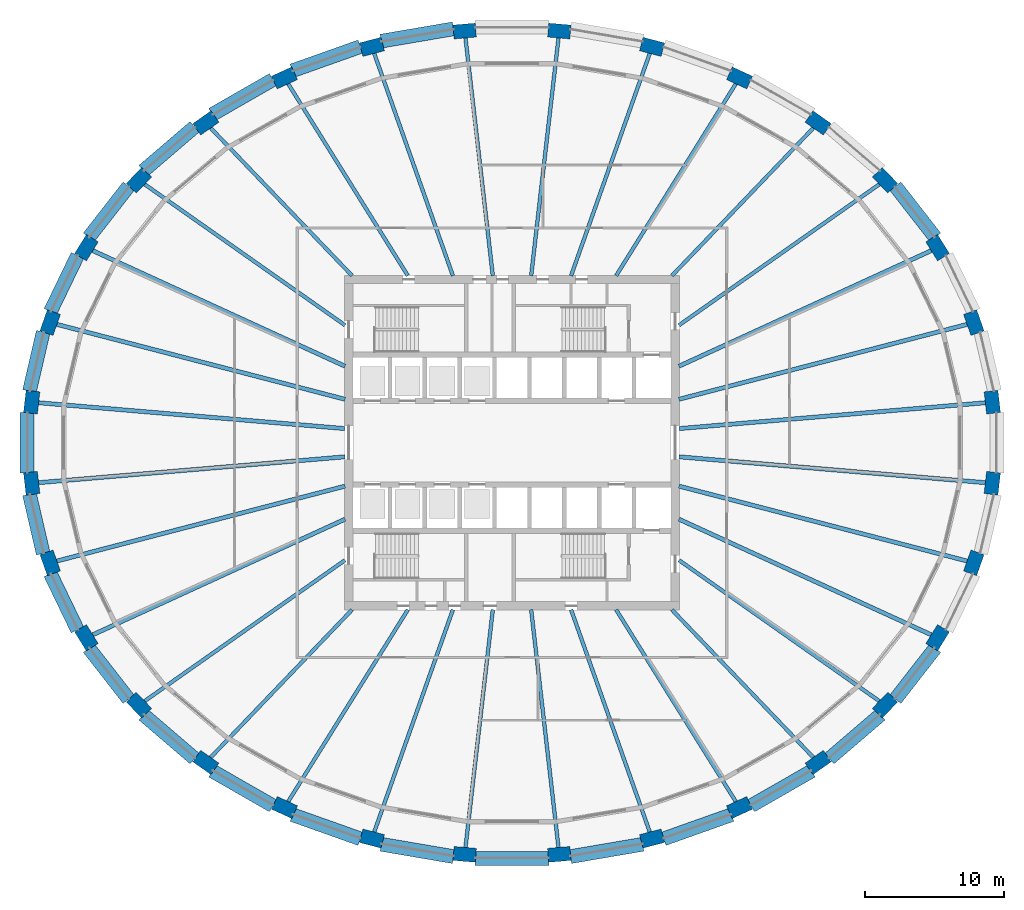
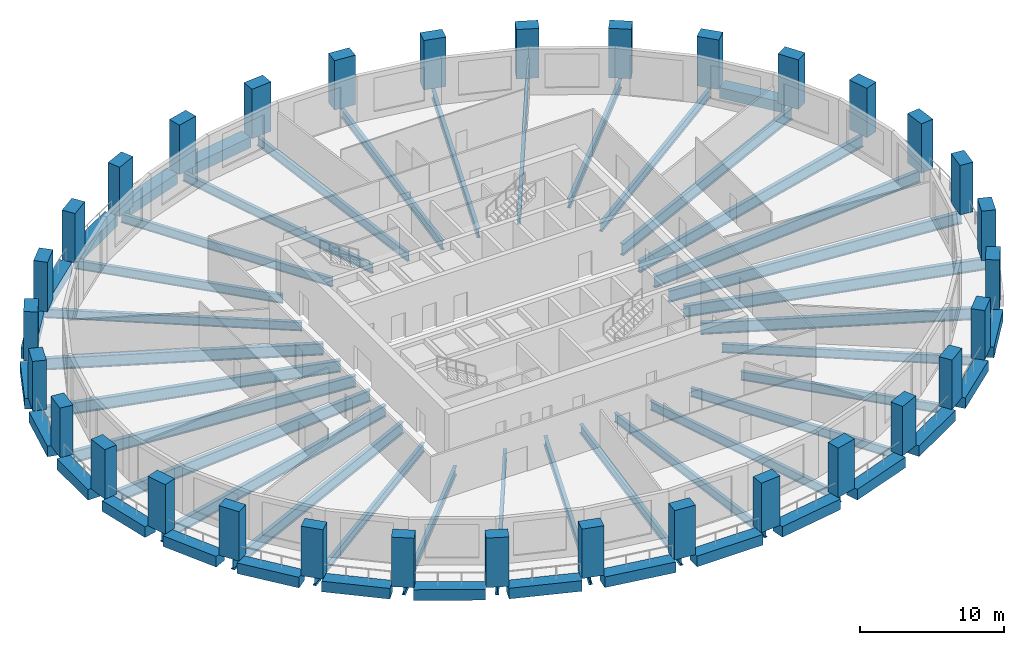
# One storey, part 1 of 10: 54 beams, 32 columns.
"""IFC4 building model written with IfcOpenShell, lengths in metres."""

from ifc_helpers import new_model, si_unit, direction, frame, origin, origin_2d, place, context, subcontext, project, spatial, rectangle, i_section, extrude, material, material_profile, profile_set, type_object, element, save


model = new_model("IFC4")

# Units and contexts
model_context = context("Model", 3, precision=1e-05, world=origin(), true_north=direction((0.0, 1.0)))
body_context = subcontext(model_context, "Body", "Model", "MODEL_VIEW")
ifc_project = project(units=[si_unit("LENGTHUNIT", "METRE"), si_unit("AREAUNIT", "SQUARE_METRE"), si_unit("VOLUMEUNIT", "CUBIC_METRE"), si_unit("PLANEANGLEUNIT", "RADIAN"), si_unit("MASSUNIT", "GRAM", prefix="KILO")], contexts=[model_context])

# Site, building, storey
site_placement = place(None, origin())
site = spatial("IfcSite", under=ifc_project, at=site_placement, CompositionType="ELEMENT")
building_placement = place(site_placement, origin())
building = spatial("IfcBuilding", under=site, at=building_placement, Name="Halqa Exchange Tower", CompositionType="ELEMENT")
storey_placement = place(building_placement, frame((0.0, 0.0, 125.5)))
storey = spatial("IfcBuildingStorey", under=building, at=storey_placement, Name="L28", CompositionType="ELEMENT", Elevation=125.5)

# Columns
ifc_material_1 = material(Name="Concrete C70/85", Category="concrete")
ifc_material_profile_1 = material_profile(ifc_material_1, rectangle(XDim=1.60009765625, YDim=1.0, at=origin_2d()), Name="1600 x 1000")
ifc_profile_set_1 = profile_set([ifc_material_profile_1], Name="Concrete C70/85")
column_type = type_object("IfcColumnType", Name="RC ring column 1600 x 1000 C70/85", PredefinedType="COLUMN", material=ifc_profile_set_1)
for number, where, z_axis, x_axis, name in (
    (1, (34.438720703125, 2.907470703125, 0.0), (0.0, 0.0, 1.0), (-0.114158655897, 0.993462531394, 0.0), "Ring column 1"),
    (2, (33.115234375, 8.6103515625, 0.0), (0.0, 0.0, 1.0), (-0.33363575088, 0.942702066262, 0.0), "Ring column 2"),
    (3, (30.51904296875, 13.982421875, 0.0), (0.0, 0.0, 1.0), (-0.529137534311, 0.848536074533, 0.0), "Ring column 3"),
    (4, (26.750244140625, 18.817138671875, 0.0), (0.0, 0.0, 1.0), (-0.691571048649, 0.722308441505, 0.0), "Ring column 4"),
    (5, (21.953369140625, 22.9287109375, 0.0), (0.0, 0.0, 1.0), (-0.817909792189, 0.575346479819, 0.0), "Ring column 5"),
    (6, (16.312744140625, 26.1591796875, 0.0), (0.0, 0.0, 1.0), (-0.909126368869, 0.416520402174, 0.0), "Ring column 6"),
    (7, (10.04541015625, 28.384521484375, 0.0), (0.0, 0.0, 1.0), (-0.967819503571, 0.251645402317, 0.0), "Ring column 7"),
    (8, (3.391845703125, 29.518798828125, 0.0), (0.0, 0.0, 1.0), (-0.996455372165, 0.084123072248, 0.0), "Ring column 8"),
    (9, (-3.391845703125, 29.518798828125, 0.0), (0.0, 0.0, 1.0), (-0.996455372165, -0.084123072248, 0.0), "Ring column 9"),
    (10, (-10.04541015625, 28.384521484375, 0.0), (0.0, 0.0, 1.0), (-0.967819503571, -0.251645402317, 0.0), "Ring column 10"),
    (11, (-16.312744140625, 26.1591796875, 0.0), (0.0, 0.0, 1.0), (-0.909126368869, -0.416520402174, 0.0), "Ring column 11"),
    (12, (-21.953369140625, 22.9287109375, 0.0), (0.0, 0.0, 1.0), (-0.817909792189, -0.575346479819, 0.0), "Ring column 12"),
    (13, (-26.750244140625, 18.817138671875, 0.0), (0.0, 0.0, 1.0), (-0.691571048649, -0.722308441505, 0.0), "Ring column 13"),
    (14, (-30.51904296875, 13.982421875, 0.0), (0.0, 0.0, 1.0), (-0.529137534311, -0.848536074533, 0.0), "Ring column 14"),
    (15, (-33.115234375, 8.6103515625, 0.0), (0.0, 0.0, 1.0), (-0.33363575088, -0.942702066262, 0.0), "Ring column 15"),
    (16, (-34.438720703125, 2.907470703125, 0.0), (0.0, 0.0, 1.0), (-0.114158655897, -0.993462531394, 0.0), "Ring column 16"),
    (17, (-34.438720703125, -2.907470703125, 0.0), (0.0, 0.0, 1.0), (0.114158655897, -0.993462531394, 0.0), "Ring column 17"),
    (18, (-33.115234375, -8.6103515625, 0.0), (0.0, 0.0, 1.0), (0.33363575088, -0.942702066262, 0.0), "Ring column 18"),
    (19, (-30.51904296875, -13.982421875, 0.0), (0.0, 0.0, 1.0), (0.529137534311, -0.848536074533, 0.0), "Ring column 19"),
    (20, (-26.750244140625, -18.817138671875, 0.0), (0.0, 0.0, 1.0), (0.691571048649, -0.722308441505, 0.0), "Ring column 20"),
    (21, (-21.953369140625, -22.9287109375, 0.0), (0.0, 0.0, 1.0), (0.817909792189, -0.575346479819, 0.0), "Ring column 21"),
    (22, (-16.312744140625, -26.1591796875, 0.0), (0.0, 0.0, 1.0), (0.909126368869, -0.416520402174, 0.0), "Ring column 22"),
    (23, (-10.04541015625, -28.384521484375, 0.0), (0.0, 0.0, 1.0), (0.967819503571, -0.251645402317, 0.0), "Ring column 23"),
    (24, (-3.391845703125, -29.518798828125, 0.0), (0.0, 0.0, 1.0), (0.996455372165, -0.084123072248, 0.0), "Ring column 24"),
    (25, (3.391845703125, -29.518798828125, 0.0), (0.0, 0.0, 1.0), (0.996455372165, 0.084123072248, 0.0), "Ring column 25"),
    (26, (10.04541015625, -28.384521484375, 0.0), (0.0, 0.0, 1.0), (0.967819503571, 0.251645402317, 0.0), "Ring column 26"),
    (27, (16.312744140625, -26.1591796875, 0.0), (0.0, 0.0, 1.0), (0.909126368869, 0.416520402174, 0.0), "Ring column 27"),
    (28, (21.953369140625, -22.9287109375, 0.0), (0.0, 0.0, 1.0), (0.817909792189, 0.575346479819, 0.0), "Ring column 28"),
    (29, (26.750244140625, -18.817138671875, 0.0), (0.0, 0.0, 1.0), (0.691571048649, 0.722308441505, 0.0), "Ring column 29"),
    (30, (30.51904296875, -13.982421875, 0.0), (0.0, 0.0, 1.0), (0.529137534311, 0.848536074533, 0.0), "Ring column 30"),
    (31, (33.115234375, -8.6103515625, 0.0), (0.0, 0.0, 1.0), (0.33363575088, 0.942702066262, 0.0), "Ring column 31"),
    (32, (34.438720703125, -2.907470703125, 0.0), (0.0, 0.0, 1.0), (0.114158655897, 0.993462531394, 0.0), "Ring column 32"),
):
    element("IfcColumn", number, at=place(storey_placement, frame(where, z_axis=z_axis, x_axis=x_axis)), inside=storey, type_object=column_type, Name=name, PredefinedType="COLUMN", context=body_context, shape_type="SweptSolid", body=[
        extrude(rectangle(XDim=1.60009765625, YDim=1.0, at=origin_2d()), origin(), (0.0, 0.0, 1.0), 4.199951171875),
    ])

# Beams
ifc_material_2 = material(Name="Steel S355", Category="steel")
ifc_material_profile_2 = material_profile(ifc_material_2, i_section(OverallWidth=0.300048828125, OverallDepth=0.989990234375, WebThickness=0.0166015625, FlangeThickness=0.031005859375, FilletRadius=0.030029296875, at=origin_2d()), Name="HEA 1000")
ifc_profile_set_2 = profile_set([ifc_material_profile_2], Name="Steel S355")
beam_type_1 = type_object("IfcBeamType", Name="Floor beam HEA 1000", PredefinedType="BEAM", material=ifc_profile_set_2)
beam_1_placement = place(storey_placement, frame((11.972412109375, 1.0107421875, -0.794921875), z_axis=(0.996455592278, 0.084120464916, 0.0), x_axis=(-0.084120464916, 0.996455592278, 0.0)))
element("IfcBeam", 33, at=beam_1_placement, inside=storey, type_object=beam_type_1, Name="Radial beam 1", PredefinedType="BEAM", context=body_context, shape_type="SweptSolid", body=[
    extrude(i_section(OverallWidth=0.300048828125, OverallDepth=0.989990234375, WebThickness=0.0166015625, FlangeThickness=0.031005859375, FilletRadius=0.030029296875, at=origin_2d()), origin(), (0.0, 0.0, 1.0), 22.515869140625),
])
beam_2_placement = place(storey_placement, frame((11.97119140625, 3.112548828125, -0.794921875), z_axis=(0.967818799343, 0.251648110738, 0.0), x_axis=(-0.251648110738, 0.967818799343, 0.0)))
element("IfcBeam", 34, at=beam_2_placement, inside=storey, type_object=beam_type_1, Name="Radial beam 2", PredefinedType="BEAM", context=body_context, shape_type="SweptSolid", body=[
    extrude(i_section(OverallWidth=0.300048828125, OverallDepth=0.989990234375, WebThickness=0.0166015625, FlangeThickness=0.031005859375, FilletRadius=0.030029296875, at=origin_2d()), origin(), (0.0, 0.0, 1.0), 21.811279296875),
])
for number, where, z_axis, x_axis, name in (
    (35, (11.972412109375, 5.485107421875, -0.794921875), (0.909124057245, 0.416525447649, 0.0), (-0.416525447649, 0.909124057245, 0.0), "Radial beam 3"),
    (36, (-11.972412109375, 5.485107421875, -0.794921875), (-0.909124057245, 0.416525447649, 0.0), (-0.416525447649, -0.909124057245, 0.0), "Radial beam 14"),
):
    element("IfcBeam", number, at=place(storey_placement, frame(where, z_axis=z_axis, x_axis=x_axis)), inside=storey, type_object=beam_type_1, Name=name, PredefinedType="BEAM", context=body_context, shape_type="SweptSolid", body=[
        extrude(i_section(OverallWidth=0.300048828125, OverallDepth=0.989990234375, WebThickness=0.0166015625, FlangeThickness=0.031005859375, FilletRadius=0.030029296875, at=origin_2d()), origin(), (0.0, 0.0, 1.0), 20.3564453125),
    ])
beam_3_placement = place(storey_placement, frame((-11.97119140625, 3.112548828125, -0.794921875), z_axis=(-0.967818799343, 0.251648110738, 0.0), x_axis=(-0.251648110738, -0.967818799343, 0.0)))
element("IfcBeam", 37, at=beam_3_placement, inside=storey, type_object=beam_type_1, Name="Radial beam 15", PredefinedType="BEAM", context=body_context, shape_type="SweptSolid", body=[
    extrude(i_section(OverallWidth=0.300048828125, OverallDepth=0.989990234375, WebThickness=0.0166015625, FlangeThickness=0.031005859375, FilletRadius=0.030029296875, at=origin_2d()), origin(), (0.0, 0.0, 1.0), 21.811279296875),
])
for number, where, z_axis, x_axis, name in (
    (38, (-11.972412109375, 1.0107421875, -0.794921875), (-0.996455592278, 0.084120464916, 0.0), (-0.084120464916, -0.996455592278, 0.0), "Radial beam 16"),
    (39, (-11.972412109375, -1.0107421875, -0.794921875), (-0.996455592278, -0.084120464916, 0.0), (0.084120464916, -0.996455592278, 0.0), "Radial beam 17"),
):
    element("IfcBeam", number, at=place(storey_placement, frame(where, z_axis=z_axis, x_axis=x_axis)), inside=storey, type_object=beam_type_1, Name=name, PredefinedType="BEAM", context=body_context, shape_type="SweptSolid", body=[
        extrude(i_section(OverallWidth=0.300048828125, OverallDepth=0.989990234375, WebThickness=0.0166015625, FlangeThickness=0.031005859375, FilletRadius=0.030029296875, at=origin_2d()), origin(), (0.0, 0.0, 1.0), 22.515869140625),
    ])
beam_4_placement = place(storey_placement, frame((-11.97119140625, -3.112548828125, -0.794921875), z_axis=(-0.967818799343, -0.251648110738, 0.0), x_axis=(0.251648110738, -0.967818799343, 0.0)))
element("IfcBeam", 40, at=beam_4_placement, inside=storey, type_object=beam_type_1, Name="Radial beam 18", PredefinedType="BEAM", context=body_context, shape_type="SweptSolid", body=[
    extrude(i_section(OverallWidth=0.300048828125, OverallDepth=0.989990234375, WebThickness=0.0166015625, FlangeThickness=0.031005859375, FilletRadius=0.030029296875, at=origin_2d()), origin(), (0.0, 0.0, 1.0), 21.811279296875),
])
for number, where, z_axis, x_axis, name in (
    (41, (-11.972412109375, -5.485107421875, -0.794921875), (-0.909124057245, -0.416525447649, 0.0), (0.416525447649, -0.909124057245, 0.0), "Radial beam 19"),
    (42, (11.972412109375, -5.485107421875, -0.794921875), (0.909124057245, -0.416525447649, 0.0), (0.416525447649, 0.909124057245, 0.0), "Radial beam 30"),
):
    element("IfcBeam", number, at=place(storey_placement, frame(where, z_axis=z_axis, x_axis=x_axis)), inside=storey, type_object=beam_type_1, Name=name, PredefinedType="BEAM", context=body_context, shape_type="SweptSolid", body=[
        extrude(i_section(OverallWidth=0.300048828125, OverallDepth=0.989990234375, WebThickness=0.0166015625, FlangeThickness=0.031005859375, FilletRadius=0.030029296875, at=origin_2d()), origin(), (0.0, 0.0, 1.0), 20.3564453125),
    ])
beam_5_placement = place(storey_placement, frame((11.97119140625, -3.112548828125, -0.794921875), z_axis=(0.967818799343, -0.251648110738, 0.0), x_axis=(0.251648110738, 0.967818799343, 0.0)))
element("IfcBeam", 43, at=beam_5_placement, inside=storey, type_object=beam_type_1, Name="Radial beam 31", PredefinedType="BEAM", context=body_context, shape_type="SweptSolid", body=[
    extrude(i_section(OverallWidth=0.300048828125, OverallDepth=0.989990234375, WebThickness=0.0166015625, FlangeThickness=0.031005859375, FilletRadius=0.030029296875, at=origin_2d()), origin(), (0.0, 0.0, 1.0), 21.811279296875),
])
beam_6_placement = place(storey_placement, frame((11.972412109375, -1.0107421875, -0.794921875), z_axis=(0.996455592278, -0.084120464916, 0.0), x_axis=(0.084120464916, 0.996455592278, 0.0)))
element("IfcBeam", 44, at=beam_6_placement, inside=storey, type_object=beam_type_1, Name="Radial beam 32", PredefinedType="BEAM", context=body_context, shape_type="SweptSolid", body=[
    extrude(i_section(OverallWidth=0.300048828125, OverallDepth=0.989990234375, WebThickness=0.0166015625, FlangeThickness=0.031005859375, FilletRadius=0.030029296875, at=origin_2d()), origin(), (0.0, 0.0, 1.0), 22.515869140625),
])
ifc_material_profile_3 = material_profile(ifc_material_2, i_section(OverallWidth=0.264892578125, OverallDepth=0.7529296875, WebThickness=0.01318359375, FlangeThickness=0.01708984375, FilletRadius=0.01708984375, at=origin_2d()), Name="IPE 750x147")
ifc_profile_set_3 = profile_set([ifc_material_profile_3], Name="Steel S355")
beam_type_2 = type_object("IfcBeamType", Name="Floor beam IPE 750x147", PredefinedType="BEAM", material=ifc_profile_set_3)
beam_7_placement = place(storey_placement, frame((11.97216796875, 8.421630859375, -0.676513671875), z_axis=(0.817908690116, 0.575348046518, 0.0), x_axis=(-0.575348046518, 0.817908690116, 0.0)))
element("IfcBeam", 45, at=beam_7_placement, inside=storey, type_object=beam_type_2, Name="Radial beam 4", PredefinedType="BEAM", context=body_context, shape_type="SweptSolid", body=[
    extrude(i_section(OverallWidth=0.264892578125, OverallDepth=0.7529296875, WebThickness=0.01318359375, FlangeThickness=0.01708984375, FilletRadius=0.01708984375, at=origin_2d()), origin(), (0.0, 0.0, 1.0), 18.015625),
])
beam_8_placement = place(storey_placement, frame((11.462890625, 11.97216796875, -0.676513671875), z_axis=(0.691578854381, 0.722300967861, 0.0), x_axis=(-0.722300967861, 0.691578854381, 0.0)))
element("IfcBeam", 46, at=beam_8_placement, inside=storey, type_object=beam_type_2, Name="Radial beam 5", PredefinedType="BEAM", context=body_context, shape_type="SweptSolid", body=[
    extrude(i_section(OverallWidth=0.264892578125, OverallDepth=0.7529296875, WebThickness=0.01318359375, FlangeThickness=0.01708984375, FilletRadius=0.01708984375, at=origin_2d()), origin(), (0.0, 0.0, 1.0), 15.106689453125),
])
beam_9_placement = place(storey_placement, frame((7.466064453125, 11.972412109375, -0.676513671875), z_axis=(0.529136571558, 0.848536674894, 0.0), x_axis=(-0.848536674894, 0.529136571558, 0.0)))
element("IfcBeam", 47, at=beam_9_placement, inside=storey, type_object=beam_type_2, Name="Radial beam 6", PredefinedType="BEAM", context=body_context, shape_type="SweptSolid", body=[
    extrude(i_section(OverallWidth=0.264892578125, OverallDepth=0.7529296875, WebThickness=0.01318359375, FlangeThickness=0.01708984375, FilletRadius=0.01708984375, at=origin_2d()), origin(), (0.0, 0.0, 1.0), 16.64794921875),
])
beam_10_placement = place(storey_placement, frame((4.23681640625, 11.9716796875, -0.676513671875), z_axis=(0.333633340588, 0.942702919295, 0.0), x_axis=(-0.942702919295, 0.333633340588, 0.0)))
element("IfcBeam", 48, at=beam_10_placement, inside=storey, type_object=beam_type_2, Name="Radial beam 7", PredefinedType="BEAM", context=body_context, shape_type="SweptSolid", body=[
    extrude(i_section(OverallWidth=0.264892578125, OverallDepth=0.7529296875, WebThickness=0.01318359375, FlangeThickness=0.01708984375, FilletRadius=0.01708984375, at=origin_2d()), origin(), (0.0, 0.0, 1.0), 17.333984375),
])
for number, where, z_axis, x_axis, name in (
    (49, (1.375732421875, 11.972900390625, -0.676513671875), (0.114147670823, 0.993463793626, 0.0), (-0.993463793626, 0.114147670823, 0.0), "Radial beam 8"),
    (50, (-1.375732421875, 11.972900390625, -0.676513671875), (-0.114147670823, 0.993463793626, 0.0), (-0.993463793626, -0.114147670823, 0.0), "Radial beam 9"),
):
    element("IfcBeam", number, at=place(storey_placement, frame(where, z_axis=z_axis, x_axis=x_axis)), inside=storey, type_object=beam_type_2, Name=name, PredefinedType="BEAM", context=body_context, shape_type="SweptSolid", body=[
        extrude(i_section(OverallWidth=0.264892578125, OverallDepth=0.7529296875, WebThickness=0.01318359375, FlangeThickness=0.01708984375, FilletRadius=0.01708984375, at=origin_2d()), origin(), (0.0, 0.0, 1.0), 17.583251953125),
    ])
beam_11_placement = place(storey_placement, frame((-4.23681640625, 11.9716796875, -0.676513671875), z_axis=(-0.333633340588, 0.942702919295, 0.0), x_axis=(-0.942702919295, -0.333633340588, 0.0)))
element("IfcBeam", 51, at=beam_11_placement, inside=storey, type_object=beam_type_2, Name="Radial beam 10", PredefinedType="BEAM", context=body_context, shape_type="SweptSolid", body=[
    extrude(i_section(OverallWidth=0.264892578125, OverallDepth=0.7529296875, WebThickness=0.01318359375, FlangeThickness=0.01708984375, FilletRadius=0.01708984375, at=origin_2d()), origin(), (0.0, 0.0, 1.0), 17.333984375),
])
beam_12_placement = place(storey_placement, frame((-7.466064453125, 11.972412109375, -0.676513671875), z_axis=(-0.529136571558, 0.848536674894, 0.0), x_axis=(-0.848536674894, -0.529136571558, 0.0)))
element("IfcBeam", 52, at=beam_12_placement, inside=storey, type_object=beam_type_2, Name="Radial beam 11", PredefinedType="BEAM", context=body_context, shape_type="SweptSolid", body=[
    extrude(i_section(OverallWidth=0.264892578125, OverallDepth=0.7529296875, WebThickness=0.01318359375, FlangeThickness=0.01708984375, FilletRadius=0.01708984375, at=origin_2d()), origin(), (0.0, 0.0, 1.0), 16.64794921875),
])
beam_13_placement = place(storey_placement, frame((-11.462890625, 11.97216796875, -0.676513671875), z_axis=(-0.691578854381, 0.722300967861, 0.0), x_axis=(-0.722300967861, -0.691578854381, 0.0)))
element("IfcBeam", 53, at=beam_13_placement, inside=storey, type_object=beam_type_2, Name="Radial beam 12", PredefinedType="BEAM", context=body_context, shape_type="SweptSolid", body=[
    extrude(i_section(OverallWidth=0.264892578125, OverallDepth=0.7529296875, WebThickness=0.01318359375, FlangeThickness=0.01708984375, FilletRadius=0.01708984375, at=origin_2d()), origin(), (0.0, 0.0, 1.0), 15.106689453125),
])
for number, where, z_axis, x_axis, name in (
    (54, (-11.97216796875, 8.421630859375, -0.676513671875), (-0.817908690116, 0.575348046518, 0.0), (-0.575348046518, -0.817908690116, 0.0), "Radial beam 13"),
    (55, (-11.97216796875, -8.421630859375, -0.676513671875), (-0.817908690116, -0.575348046518, 0.0), (0.575348046518, -0.817908690116, 0.0), "Radial beam 20"),
):
    element("IfcBeam", number, at=place(storey_placement, frame(where, z_axis=z_axis, x_axis=x_axis)), inside=storey, type_object=beam_type_2, Name=name, PredefinedType="BEAM", context=body_context, shape_type="SweptSolid", body=[
        extrude(i_section(OverallWidth=0.264892578125, OverallDepth=0.7529296875, WebThickness=0.01318359375, FlangeThickness=0.01708984375, FilletRadius=0.01708984375, at=origin_2d()), origin(), (0.0, 0.0, 1.0), 18.015625),
    ])
beam_14_placement = place(storey_placement, frame((-11.462890625, -11.97216796875, -0.676513671875), z_axis=(-0.691578854381, -0.722300967861, 0.0), x_axis=(0.722300967861, -0.691578854381, 0.0)))
element("IfcBeam", 56, at=beam_14_placement, inside=storey, type_object=beam_type_2, Name="Radial beam 21", PredefinedType="BEAM", context=body_context, shape_type="SweptSolid", body=[
    extrude(i_section(OverallWidth=0.264892578125, OverallDepth=0.7529296875, WebThickness=0.01318359375, FlangeThickness=0.01708984375, FilletRadius=0.01708984375, at=origin_2d()), origin(), (0.0, 0.0, 1.0), 15.106689453125),
])
beam_15_placement = place(storey_placement, frame((-7.466064453125, -11.972412109375, -0.676513671875), z_axis=(-0.529136571558, -0.848536674894, 0.0), x_axis=(0.848536674894, -0.529136571558, 0.0)))
element("IfcBeam", 57, at=beam_15_placement, inside=storey, type_object=beam_type_2, Name="Radial beam 22", PredefinedType="BEAM", context=body_context, shape_type="SweptSolid", body=[
    extrude(i_section(OverallWidth=0.264892578125, OverallDepth=0.7529296875, WebThickness=0.01318359375, FlangeThickness=0.01708984375, FilletRadius=0.01708984375, at=origin_2d()), origin(), (0.0, 0.0, 1.0), 16.64794921875),
])
beam_16_placement = place(storey_placement, frame((-4.23681640625, -11.9716796875, -0.676513671875), z_axis=(-0.333633340588, -0.942702919295, 0.0), x_axis=(0.942702919295, -0.333633340588, 0.0)))
element("IfcBeam", 58, at=beam_16_placement, inside=storey, type_object=beam_type_2, Name="Radial beam 23", PredefinedType="BEAM", context=body_context, shape_type="SweptSolid", body=[
    extrude(i_section(OverallWidth=0.264892578125, OverallDepth=0.7529296875, WebThickness=0.01318359375, FlangeThickness=0.01708984375, FilletRadius=0.01708984375, at=origin_2d()), origin(), (0.0, 0.0, 1.0), 17.333984375),
])
for number, where, z_axis, x_axis, name in (
    (59, (-1.375732421875, -11.972900390625, -0.676513671875), (-0.114147670823, -0.993463793626, 0.0), (0.993463793626, -0.114147670823, 0.0), "Radial beam 24"),
    (60, (1.375732421875, -11.972900390625, -0.676513671875), (0.114147670823, -0.993463793626, 0.0), (0.993463793626, 0.114147670823, 0.0), "Radial beam 25"),
):
    element("IfcBeam", number, at=place(storey_placement, frame(where, z_axis=z_axis, x_axis=x_axis)), inside=storey, type_object=beam_type_2, Name=name, PredefinedType="BEAM", context=body_context, shape_type="SweptSolid", body=[
        extrude(i_section(OverallWidth=0.264892578125, OverallDepth=0.7529296875, WebThickness=0.01318359375, FlangeThickness=0.01708984375, FilletRadius=0.01708984375, at=origin_2d()), origin(), (0.0, 0.0, 1.0), 17.583251953125),
    ])
beam_17_placement = place(storey_placement, frame((4.23681640625, -11.9716796875, -0.676513671875), z_axis=(0.333633340588, -0.942702919295, 0.0), x_axis=(0.942702919295, 0.333633340588, 0.0)))
element("IfcBeam", 61, at=beam_17_placement, inside=storey, type_object=beam_type_2, Name="Radial beam 26", PredefinedType="BEAM", context=body_context, shape_type="SweptSolid", body=[
    extrude(i_section(OverallWidth=0.264892578125, OverallDepth=0.7529296875, WebThickness=0.01318359375, FlangeThickness=0.01708984375, FilletRadius=0.01708984375, at=origin_2d()), origin(), (0.0, 0.0, 1.0), 17.333984375),
])
beam_18_placement = place(storey_placement, frame((7.466064453125, -11.972412109375, -0.676513671875), z_axis=(0.529136571558, -0.848536674894, 0.0), x_axis=(0.848536674894, 0.529136571558, 0.0)))
element("IfcBeam", 62, at=beam_18_placement, inside=storey, type_object=beam_type_2, Name="Radial beam 27", PredefinedType="BEAM", context=body_context, shape_type="SweptSolid", body=[
    extrude(i_section(OverallWidth=0.264892578125, OverallDepth=0.7529296875, WebThickness=0.01318359375, FlangeThickness=0.01708984375, FilletRadius=0.01708984375, at=origin_2d()), origin(), (0.0, 0.0, 1.0), 16.64794921875),
])
beam_19_placement = place(storey_placement, frame((11.462890625, -11.97216796875, -0.676513671875), z_axis=(0.691578854381, -0.722300967861, 0.0), x_axis=(0.722300967861, 0.691578854381, 0.0)))
element("IfcBeam", 63, at=beam_19_placement, inside=storey, type_object=beam_type_2, Name="Radial beam 28", PredefinedType="BEAM", context=body_context, shape_type="SweptSolid", body=[
    extrude(i_section(OverallWidth=0.264892578125, OverallDepth=0.7529296875, WebThickness=0.01318359375, FlangeThickness=0.01708984375, FilletRadius=0.01708984375, at=origin_2d()), origin(), (0.0, 0.0, 1.0), 15.106689453125),
])
beam_20_placement = place(storey_placement, frame((11.97216796875, -8.421630859375, -0.676513671875), z_axis=(0.817908690116, -0.575348046518, 0.0), x_axis=(0.575348046518, 0.817908690116, 0.0)))
element("IfcBeam", 64, at=beam_20_placement, inside=storey, type_object=beam_type_2, Name="Radial beam 29", PredefinedType="BEAM", context=body_context, shape_type="SweptSolid", body=[
    extrude(i_section(OverallWidth=0.264892578125, OverallDepth=0.7529296875, WebThickness=0.01318359375, FlangeThickness=0.01708984375, FilletRadius=0.01708984375, at=origin_2d()), origin(), (0.0, 0.0, 1.0), 18.015625),
])
ifc_material_3 = material(Name="Concrete C60/75", Category="concrete")
ifc_material_profile_4 = material_profile(ifc_material_3, rectangle(XDim=1.0, YDim=0.89990234375, at=origin_2d()), Name="1000 x 900")
ifc_profile_set_4 = profile_set([ifc_material_profile_4], Name="Concrete C60/75")
beam_type_3 = type_object("IfcBeamType", Name="RC spandrel beam 1000 x 900 C60/75", PredefinedType="SPANDREL", material=ifc_profile_set_4)
beam_21_placement = place(storey_placement, frame((30.34423828125, 14.732177734375, -0.449951171875), z_axis=(-0.61480732631, 0.788677343098, 0.0), x_axis=(-0.788677343098, -0.61480732631, 0.0)))
element("IfcBeam", 65, at=beam_21_placement, inside=storey, type_object=beam_type_3, Name="Spandrel 3", PredefinedType="SPANDREL", context=body_context, shape_type="SweptSolid", body=[
    extrude(rectangle(XDim=1.0, YDim=0.89990234375, at=origin_2d()), origin(), (0.0, 0.0, 1.0), 4.639404296875),
])
beam_22_placement = place(storey_placement, frame((-4.189453125, 29.680419921875, -0.449951171875), z_axis=(-0.985775606533, -0.168066812797, 0.0), x_axis=(0.168066812797, -0.985775606533, 0.0)))
element("IfcBeam", 66, at=beam_22_placement, inside=storey, type_object=beam_type_3, Name="Spandrel 9", PredefinedType="SPANDREL", context=body_context, shape_type="SweptSolid", body=[
    extrude(rectangle(XDim=1.0, YDim=0.89990234375, at=origin_2d()), origin(), (0.0, 0.0, 1.0), 5.265869140625),
])
beam_23_placement = place(storey_placement, frame((-10.8759765625, 28.405517578125, -0.449951171875), z_axis=(-0.942360462003, -0.334599401754, 0.0), x_axis=(0.334599401754, -0.942360462003, 0.0)))
element("IfcBeam", 67, at=beam_23_placement, inside=storey, type_object=beam_type_3, Name="Spandrel 10", PredefinedType="SPANDREL", context=body_context, shape_type="SweptSolid", body=[
    extrude(rectangle(XDim=1.0, YDim=0.89990234375, at=origin_2d()), origin(), (0.0, 0.0, 1.0), 5.166015625),
])
beam_24_placement = place(storey_placement, frame((-17.14697265625, 26.032470703125, -0.449951171875), z_axis=(-0.867751350461, -0.496998585283, 0.0), x_axis=(0.496998585283, -0.867751350461, 0.0)))
element("IfcBeam", 68, at=beam_24_placement, inside=storey, type_object=beam_type_3, Name="Spandrel 11", PredefinedType="SPANDREL", context=body_context, shape_type="SweptSolid", body=[
    extrude(rectangle(XDim=1.0, YDim=0.89990234375, at=origin_2d()), origin(), (0.0, 0.0, 1.0), 5.014404296875),
])
beam_25_placement = place(storey_placement, frame((-22.75927734375, 22.650634765625, -0.449951171875), z_axis=(-0.759285146525, -0.650758070459, 0.0), x_axis=(0.650758070459, -0.759285146525, 0.0)))
element("IfcBeam", 69, at=beam_25_placement, inside=storey, type_object=beam_type_3, Name="Spandrel 12", PredefinedType="SPANDREL", context=body_context, shape_type="SweptSolid", body=[
    extrude(rectangle(XDim=1.0, YDim=0.89990234375, at=origin_2d()), origin(), (0.0, 0.0, 1.0), 4.829833984375),
])
beam_26_placement = place(storey_placement, frame((-27.491943359375, 18.39111328125, -0.449951171875), z_axis=(-0.61480732631, -0.788677343098, 0.0), x_axis=(0.788677343098, -0.61480732631, 0.0)))
element("IfcBeam", 70, at=beam_26_placement, inside=storey, type_object=beam_type_3, Name="Spandrel 13", PredefinedType="SPANDREL", context=body_context, shape_type="SweptSolid", body=[
    extrude(rectangle(XDim=1.0, YDim=0.89990234375, at=origin_2d()), origin(), (0.0, 0.0, 1.0), 4.639404296875),
])
beam_27_placement = place(storey_placement, frame((-31.15869140625, 13.42138671875, -0.449951171875), z_axis=(-0.435117021664, -0.900373909805, 0.0), x_axis=(0.900373909805, -0.435117021664, 0.0)))
element("IfcBeam", 71, at=beam_27_placement, inside=storey, type_object=beam_type_3, Name="Spandrel 14", PredefinedType="SPANDREL", context=body_context, shape_type="SweptSolid", body=[
    extrude(rectangle(XDim=1.0, YDim=0.89990234375, at=origin_2d()), origin(), (0.0, 0.0, 1.0), 4.471435546875),
])
beam_28_placement = place(storey_placement, frame((-33.6181640625, 7.93896484375, -0.449951171875), z_axis=(-0.226066118641, -0.974111959686, 0.0), x_axis=(0.974111959686, -0.226066118641, 0.0)))
element("IfcBeam", 72, at=beam_28_placement, inside=storey, type_object=beam_type_3, Name="Spandrel 15", PredefinedType="SPANDREL", context=body_context, shape_type="SweptSolid", body=[
    extrude(rectangle(XDim=1.0, YDim=0.89990234375, at=origin_2d()), origin(), (0.0, 0.0, 1.0), 4.358642578125),
])
beam_29_placement = place(storey_placement, frame((-34.779052734375, 2.15869140625, -0.449951171875), z_axis=(0.0, -1.0, 0.0), x_axis=(1.0, 0.0, 0.0)))
element("IfcBeam", 73, at=beam_29_placement, inside=storey, type_object=beam_type_3, Name="Spandrel 16", PredefinedType="SPANDREL", context=body_context, shape_type="SweptSolid", body=[
    extrude(rectangle(XDim=1.0, YDim=0.89990234375, at=origin_2d()), origin(), (0.0, 0.0, 1.0), 4.3173828125),
])
beam_30_placement = place(storey_placement, frame((-34.603515625, -3.693115234375, -0.449951171875), z_axis=(0.226066118641, -0.974111959686, 0.0), x_axis=(0.974111959686, 0.226066118641, 0.0)))
element("IfcBeam", 74, at=beam_30_placement, inside=storey, type_object=beam_type_3, Name="Spandrel 17", PredefinedType="SPANDREL", context=body_context, shape_type="SweptSolid", body=[
    extrude(rectangle(XDim=1.0, YDim=0.89990234375, at=origin_2d()), origin(), (0.0, 0.0, 1.0), 4.358642578125),
])
beam_31_placement = place(storey_placement, frame((-33.104248046875, -9.3955078125, -0.449951171875), z_axis=(0.435117021664, -0.900373909805, 0.0), x_axis=(0.900373909805, 0.435117021664, 0.0)))
element("IfcBeam", 75, at=beam_31_placement, inside=storey, type_object=beam_type_3, Name="Spandrel 18", PredefinedType="SPANDREL", context=body_context, shape_type="SweptSolid", body=[
    extrude(rectangle(XDim=1.0, YDim=0.89990234375, at=origin_2d()), origin(), (0.0, 0.0, 1.0), 4.471435546875),
])
beam_32_placement = place(storey_placement, frame((-30.34423828125, -14.732177734375, -0.449951171875), z_axis=(0.61480732631, -0.788677343098, 0.0), x_axis=(0.788677343098, 0.61480732631, 0.0)))
element("IfcBeam", 76, at=beam_32_placement, inside=storey, type_object=beam_type_3, Name="Spandrel 19", PredefinedType="SPANDREL", context=body_context, shape_type="SweptSolid", body=[
    extrude(rectangle(XDim=1.0, YDim=0.89990234375, at=origin_2d()), origin(), (0.0, 0.0, 1.0), 4.639404296875),
])
beam_33_placement = place(storey_placement, frame((-26.426513671875, -19.507568359375, -0.449951171875), z_axis=(0.759285146525, -0.650758070459, 0.0), x_axis=(0.650758070459, 0.759285146525, 0.0)))
element("IfcBeam", 77, at=beam_33_placement, inside=storey, type_object=beam_type_3, Name="Spandrel 20", PredefinedType="SPANDREL", context=body_context, shape_type="SweptSolid", body=[
    extrude(rectangle(XDim=1.0, YDim=0.89990234375, at=origin_2d()), origin(), (0.0, 0.0, 1.0), 4.829833984375),
])
beam_34_placement = place(storey_placement, frame((-21.498291015625, -23.540283203125, -0.449951171875), z_axis=(0.867751350461, -0.496998585283, 0.0), x_axis=(0.496998585283, 0.867751350461, 0.0)))
element("IfcBeam", 78, at=beam_34_placement, inside=storey, type_object=beam_type_3, Name="Spandrel 21", PredefinedType="SPANDREL", context=body_context, shape_type="SweptSolid", body=[
    extrude(rectangle(XDim=1.0, YDim=0.89990234375, at=origin_2d()), origin(), (0.0, 0.0, 1.0), 5.014404296875),
])
beam_35_placement = place(storey_placement, frame((-15.744140625, -26.677001953125, -0.449951171875), z_axis=(0.942360462003, -0.334599401754, 0.0), x_axis=(0.334599401754, 0.942360462003, 0.0)))
element("IfcBeam", 79, at=beam_35_placement, inside=storey, type_object=beam_type_3, Name="Spandrel 22", PredefinedType="SPANDREL", context=body_context, shape_type="SweptSolid", body=[
    extrude(rectangle(XDim=1.0, YDim=0.89990234375, at=origin_2d()), origin(), (0.0, 0.0, 1.0), 5.166015625),
])
beam_36_placement = place(storey_placement, frame((-9.38037109375, -28.79541015625, -0.449951171875), z_axis=(0.985775606533, -0.168066812797, 0.0), x_axis=(0.168066812797, 0.985775606533, 0.0)))
element("IfcBeam", 80, at=beam_36_placement, inside=storey, type_object=beam_type_3, Name="Spandrel 23", PredefinedType="SPANDREL", context=body_context, shape_type="SweptSolid", body=[
    extrude(rectangle(XDim=1.0, YDim=0.89990234375, at=origin_2d()), origin(), (0.0, 0.0, 1.0), 5.265869140625),
])
beam_37_placement = place(storey_placement, frame((-2.650634765625, -29.810791015625, -0.449951171875), z_axis=(1.0, 0.0, 0.0), x_axis=(0.0, 1.0, 0.0)))
element("IfcBeam", 81, at=beam_37_placement, inside=storey, type_object=beam_type_3, Name="Spandrel 24", PredefinedType="SPANDREL", context=body_context, shape_type="SweptSolid", body=[
    extrude(rectangle(XDim=1.0, YDim=0.89990234375, at=origin_2d()), origin(), (0.0, 0.0, 1.0), 5.30126953125),
])
beam_38_placement = place(storey_placement, frame((4.189453125, -29.680419921875, -0.449951171875), z_axis=(0.985775606533, 0.168066812797, 0.0), x_axis=(-0.168066812797, 0.985775606533, 0.0)))
element("IfcBeam", 82, at=beam_38_placement, inside=storey, type_object=beam_type_3, Name="Spandrel 25", PredefinedType="SPANDREL", context=body_context, shape_type="SweptSolid", body=[
    extrude(rectangle(XDim=1.0, YDim=0.89990234375, at=origin_2d()), origin(), (0.0, 0.0, 1.0), 5.265869140625),
])
beam_39_placement = place(storey_placement, frame((10.8759765625, -28.405517578125, -0.449951171875), z_axis=(0.942360462003, 0.334599401754, 0.0), x_axis=(-0.334599401754, 0.942360462003, 0.0)))
element("IfcBeam", 83, at=beam_39_placement, inside=storey, type_object=beam_type_3, Name="Spandrel 26", PredefinedType="SPANDREL", context=body_context, shape_type="SweptSolid", body=[
    extrude(rectangle(XDim=1.0, YDim=0.89990234375, at=origin_2d()), origin(), (0.0, 0.0, 1.0), 5.166015625),
])
beam_40_placement = place(storey_placement, frame((17.14697265625, -26.032470703125, -0.449951171875), z_axis=(0.867751350461, 0.496998585283, 0.0), x_axis=(-0.496998585283, 0.867751350461, 0.0)))
element("IfcBeam", 84, at=beam_40_placement, inside=storey, type_object=beam_type_3, Name="Spandrel 27", PredefinedType="SPANDREL", context=body_context, shape_type="SweptSolid", body=[
    extrude(rectangle(XDim=1.0, YDim=0.89990234375, at=origin_2d()), origin(), (0.0, 0.0, 1.0), 5.014404296875),
])
beam_41_placement = place(storey_placement, frame((22.75927734375, -22.650634765625, -0.449951171875), z_axis=(0.759285146525, 0.650758070459, 0.0), x_axis=(-0.650758070459, 0.759285146525, 0.0)))
element("IfcBeam", 85, at=beam_41_placement, inside=storey, type_object=beam_type_3, Name="Spandrel 28", PredefinedType="SPANDREL", context=body_context, shape_type="SweptSolid", body=[
    extrude(rectangle(XDim=1.0, YDim=0.89990234375, at=origin_2d()), origin(), (0.0, 0.0, 1.0), 4.829833984375),
])
beam_42_placement = place(storey_placement, frame((27.491943359375, -18.39111328125, -0.449951171875), z_axis=(0.61480732631, 0.788677343098, 0.0), x_axis=(-0.788677343098, 0.61480732631, 0.0)))
element("IfcBeam", 86, at=beam_42_placement, inside=storey, type_object=beam_type_3, Name="Spandrel 29", PredefinedType="SPANDREL", context=body_context, shape_type="SweptSolid", body=[
    extrude(rectangle(XDim=1.0, YDim=0.89990234375, at=origin_2d()), origin(), (0.0, 0.0, 1.0), 4.639404296875),
])

save(model, "model.ifc")
